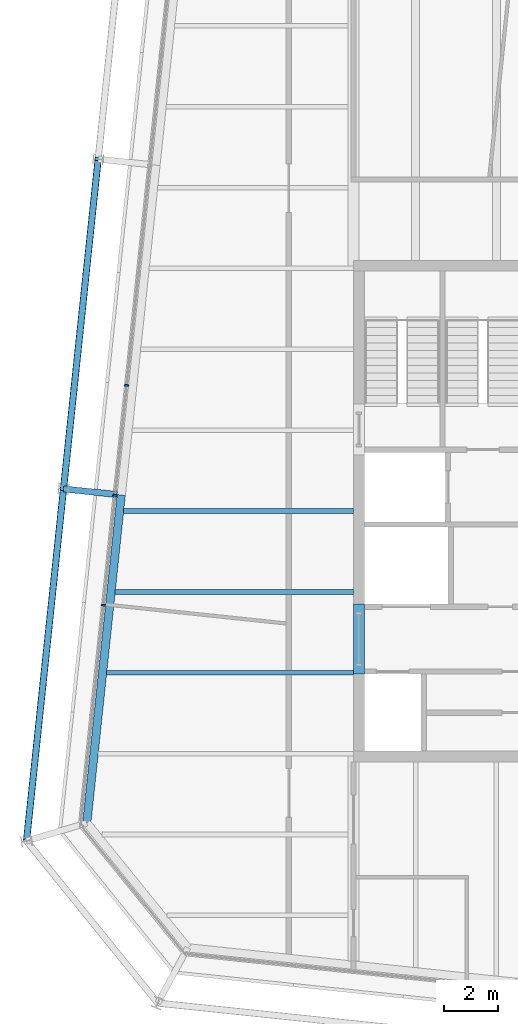
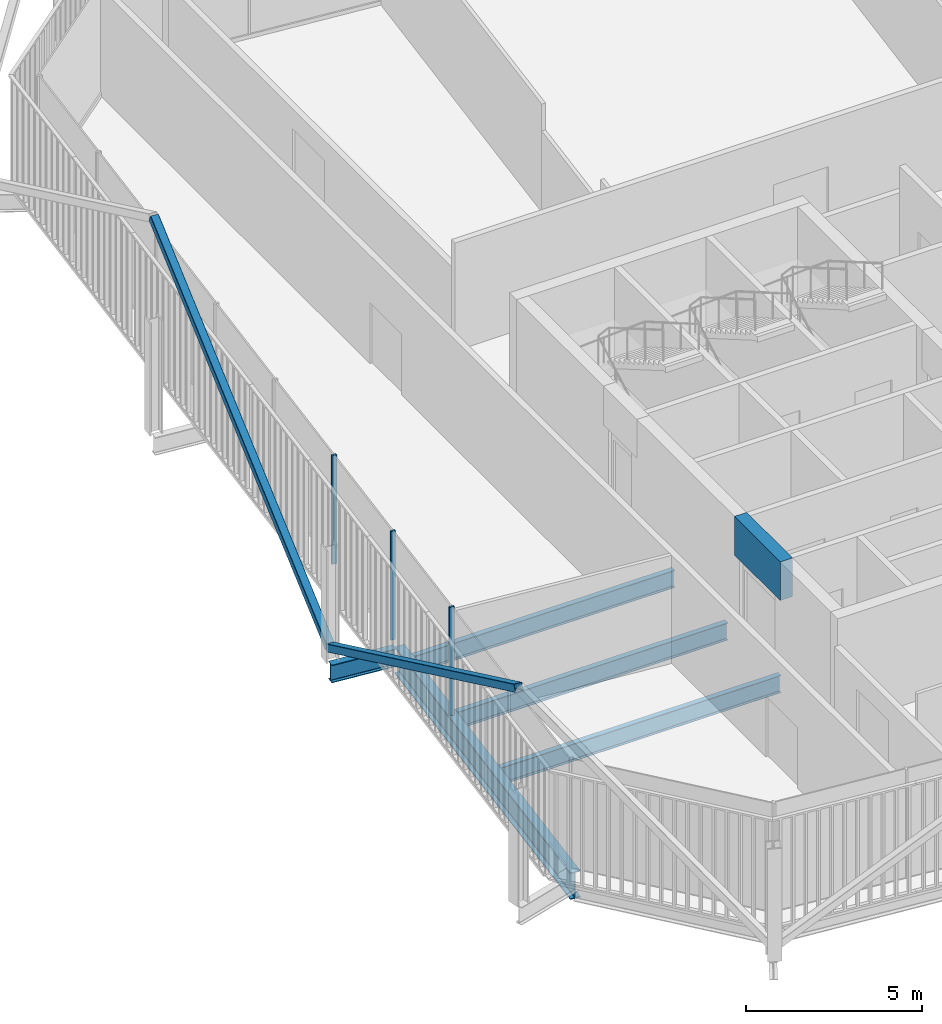
# One storey, part 6 of 21: 6 beams, 5 members, 1 element without a shape of its own.
"""IFC4 building model written with IfcOpenShell, lengths in metres."""

from ifc_helpers import new_model, si_unit, direction, frame, origin, origin_2d, place, context, subcontext, project, spatial, rectangle, hollow_rectangle, i_section, extrude, material, layer, layer_set, material_profile, profile_set, type_object, element, aggregate, save


model = new_model("IFC4")

# Units and contexts
model_context = context("Model", 3, precision=1e-05, world=origin(), true_north=direction((0.0, 1.0)))
body_context = subcontext(model_context, "Body", "Model", "MODEL_VIEW")
ifc_project = project(units=[si_unit("LENGTHUNIT", "METRE"), si_unit("AREAUNIT", "SQUARE_METRE"), si_unit("VOLUMEUNIT", "CUBIC_METRE"), si_unit("PLANEANGLEUNIT", "RADIAN"), si_unit("MASSUNIT", "GRAM", prefix="KILO")], contexts=[model_context])

# Site, building, storey
site_placement = place(None, origin())
site = spatial("IfcSite", under=ifc_project, at=site_placement, CompositionType="ELEMENT")
building_placement = place(site_placement, origin())
building = spatial("IfcBuilding", under=site, at=building_placement, Name="Millrace Tower", CompositionType="ELEMENT")
storey_placement = place(building_placement, frame((0.0, 0.0, 299.39990234375)))
storey = spatial("IfcBuildingStorey", under=building, at=storey_placement, Name="L69", CompositionType="ELEMENT", Elevation=299.39990234375)

# Curtain wall, members
ifc_material_1 = material(Name="Aluminium and glass", Category="aluminium")
ifc_layer = layer(ifc_material_1, 0.14990234375)
ifc_layer_set = layer_set([ifc_layer], Name="Aluminium and glass")
curtain_wall_type = type_object("IfcCurtainWallType", Name="CW-1 office vision curtain wall", PredefinedType="NOTDEFINED", material=ifc_layer_set)
curtain_wall_placement = place(storey_placement, origin())
curtain_wall = element("IfcCurtainWall", 1, at=curtain_wall_placement, inside=storey, type_object=curtain_wall_type, Name="Curtain wall E-F08 L69", PredefinedType="NOTDEFINED")
ifc_material_2 = material(Name="Aluminium", Category="aluminium")
ifc_material_profile_1 = material_profile(ifc_material_2, rectangle(XDim=0.06494140625, YDim=0.14990234375, at=origin_2d()))
ifc_profile_set_1 = profile_set([ifc_material_profile_1], Name="Aluminium")
member_type_1 = type_object("IfcMemberType", Name="CW-1 office vision curtain wall mullion", PredefinedType="MULLION", material=ifc_profile_set_1)
member_1_placement = place(storey_placement, frame((-22.717529296875, 4.664794921875, 0.14013671875), z_axis=(0.0, 0.0, 1.0), x_axis=(-0.104528455196, -0.994521896217, 0.0)))
member_1 = element("IfcMember", 2, at=member_1_placement, type_object=member_type_1, Name="CW1 mullion E-F08.6", PredefinedType="MULLION", context=body_context, shape_type="SweptSolid", body=[
    extrude(rectangle(XDim=0.06494140625, YDim=0.14990234375, at=origin_2d()), origin(), (0.0, 0.0, 1.0), 3.760009765625),
])
member_2_placement = place(storey_placement, frame((-23.146240234375, 0.587158203125, 0.14013671875), z_axis=(0.0, 0.0, 1.0), x_axis=(-0.104528455196, -0.994521896217, 0.0)))
member_2 = element("IfcMember", 3, at=member_2_placement, type_object=member_type_1, Name="CW1 mullion E-F08.7", PredefinedType="MULLION", context=body_context, shape_type="SweptSolid", body=[
    extrude(rectangle(XDim=0.06494140625, YDim=0.14990234375, at=origin_2d()), origin(), (0.0, 0.0, 1.0), 3.760009765625),
])
member_3_placement = place(storey_placement, frame((-23.57470703125, -3.490234375, 0.14013671875), z_axis=(0.0, 0.0, 1.0), x_axis=(-0.104528455196, -0.994521896217, 0.0)))
member_3 = element("IfcMember", 4, at=member_3_placement, type_object=member_type_1, Name="CW1 mullion E-F08.8", PredefinedType="MULLION", context=body_context, shape_type="SweptSolid", body=[
    extrude(rectangle(XDim=0.06494140625, YDim=0.14990234375, at=origin_2d()), origin(), (0.0, 0.0, 1.0), 3.760009765625),
])
aggregate(curtain_wall, [member_1, member_2, member_3])

# Beam
ifc_material_3 = material(Name="Concrete C60", Category="concrete")
ifc_material_profile_2 = material_profile(ifc_material_3, rectangle(XDim=0.39990234375, YDim=1.340087890625, at=origin_2d()))
ifc_profile_set_2 = profile_set([ifc_material_profile_2], Name="Concrete C60")
beam_type_1 = type_object("IfcBeamType", Name="Coupling beam 400 x 1340 Concrete C60, 2000 opening", PredefinedType="BEAM", material=ifc_profile_set_2)
beam_1_placement = place(storey_placement, frame((-14.10009765625, -6.050048828125, 3.070068359375), z_axis=(0.0, 1.0, 0.0), x_axis=(-1.0, 0.0, 0.0)))
element("IfcBeam", 5, at=beam_1_placement, inside=storey, type_object=beam_type_1, Name="Coupling beam W L69", PredefinedType="BEAM", context=body_context, shape_type="SweptSolid", body=[
    extrude(rectangle(XDim=0.39990234375, YDim=1.340087890625, at=origin_2d()), origin(), (0.0, 0.0, 1.0), 2.60009765625),
])

# Members
ifc_material_4 = material(Name="Steel ASTM A500 Grade C", Category="steel")
ifc_material_profile_3 = material_profile(ifc_material_4, hollow_rectangle(XDim=0.25390625, YDim=0.25390625, WallThickness=0.0126953125, InnerFilletRadius=0.00634765625, OuterFilletRadius=0.01904296875, at=origin_2d()))
ifc_profile_set_3 = profile_set([ifc_material_profile_3], Name="Steel ASTM A500 Grade C")
member_type_2 = type_object("IfcMemberType", Name="Exoskeleton brace HSS10x10x1/2", PredefinedType="BRACE", material=ifc_profile_set_3)
member_4_placement = place(storey_placement, frame((-25.057373046875, 0.82080078125, 0.400146484375), z_axis=(0.090859841027, 0.864350167962, 0.494614270348), x_axis=(-0.994520342986, 0.104543232143, 0.0)))
element("IfcMember", 6, at=member_4_placement, inside=storey, type_object=member_type_2, Name="BRC-E-L69-15", PredefinedType="BRACE", context=body_context, shape_type="SweptSolid", body=[
    extrude(hollow_rectangle(XDim=0.25390625, YDim=0.25390625, WallThickness=0.0126953125, InnerFilletRadius=0.00634765625, OuterFilletRadius=0.01904296875, at=origin_2d()), origin(), (0.0, 0.0, 1.0), 14.15234375),
])
member_5_placement = place(storey_placement, frame((-25.057373046875, 0.82080078125, 0.400146484375), z_axis=(-0.092220680702, -0.877573310314, 0.47048956532), x_axis=(0.994523779096, -0.104510539239, 0.0)))
element("IfcMember", 7, at=member_5_placement, inside=storey, type_object=member_type_2, Name="BRC-E-L69-16", PredefinedType="BRACE", context=body_context, shape_type="SweptSolid", body=[
    extrude(hollow_rectangle(XDim=0.25390625, YDim=0.25390625, WallThickness=0.0126953125, InnerFilletRadius=0.00634765625, OuterFilletRadius=0.01904296875, at=origin_2d()), origin(), (0.0, 0.0, 1.0), 14.878173828125),
])

# Beams
ifc_material_5 = material(Name="Steel ASTM A992 Grade 50", Category="steel")
ifc_material_profile_4 = material_profile(ifc_material_5, i_section(OverallWidth=0.177978515625, OverallDepth=0.599365234375, WebThickness=0.010009765625, FlangeThickness=0.012939453125, FilletRadius=0.012939453125, at=origin_2d()))
ifc_profile_set_4 = profile_set([ifc_material_profile_4], Name="Steel ASTM A992 Grade 50")
beam_type_2 = type_object("IfcBeamType", Name="Floor beam W24x55", PredefinedType="JOIST", material=ifc_profile_set_4)
beam_2_placement = place(storey_placement, frame((-23.4541015625, -6.0, -0.459716796875), z_axis=(1.0, 0.0, 0.0), x_axis=(0.0, 1.0, 0.0)))
element("IfcBeam", 8, at=beam_2_placement, inside=storey, type_object=beam_type_2, Name="BM-E-L69-S1-S009", PredefinedType="JOIST", context=body_context, shape_type="SweptSolid", body=[
    extrude(i_section(OverallWidth=0.177978515625, OverallDepth=0.599365234375, WebThickness=0.010009765625, FlangeThickness=0.012939453125, FilletRadius=0.012939453125, at=origin_2d()), origin(), (0.0, 0.0, 1.0), 9.154052734375),
])
beam_3_placement = place(storey_placement, frame((-23.138916015625, -3.0, -0.459716796875), z_axis=(1.0, 0.0, 0.0), x_axis=(0.0, 1.0, 0.0)))
element("IfcBeam", 9, at=beam_3_placement, inside=storey, type_object=beam_type_2, Name="BM-E-L69-S1-S012", PredefinedType="JOIST", context=body_context, shape_type="SweptSolid", body=[
    extrude(i_section(OverallWidth=0.177978515625, OverallDepth=0.599365234375, WebThickness=0.010009765625, FlangeThickness=0.012939453125, FilletRadius=0.012939453125, at=origin_2d()), origin(), (0.0, 0.0, 1.0), 8.8388671875),
])
beam_4_placement = place(storey_placement, frame((-22.823486328125, 0.0, -0.459716796875), z_axis=(1.0, 0.0, 0.0), x_axis=(0.0, 1.0, 0.0)))
element("IfcBeam", 10, at=beam_4_placement, inside=storey, type_object=beam_type_2, Name="BM-E-L69-S1-S015", PredefinedType="JOIST", context=body_context, shape_type="SweptSolid", body=[
    extrude(i_section(OverallWidth=0.177978515625, OverallDepth=0.599365234375, WebThickness=0.010009765625, FlangeThickness=0.012939453125, FilletRadius=0.012939453125, at=origin_2d()), origin(), (0.0, 0.0, 1.0), 8.5234375),
])
ifc_material_6 = material(Name="Steel ASTM A992 Grade 50", Category="steel")
ifc_material_profile_5 = material_profile(ifc_material_6, i_section(OverallWidth=0.23046875, OverallDepth=0.6171875, WebThickness=0.01318359375, FlangeThickness=0.022216796875, FilletRadius=0.012939453125, at=origin_2d()))
ifc_profile_set_5 = profile_set([ifc_material_profile_5], Name="Steel ASTM A992 Grade 50")
beam_type_3 = type_object("IfcBeamType", Name="Link beam W24x94", PredefinedType="BEAM", material=ifc_profile_set_5)
beam_5_placement = place(storey_placement, frame((-23.068115234375, 0.61181640625, -0.468505859375), z_axis=(-0.994526834051, 0.104481464157, 0.0), x_axis=(-0.104481464157, -0.994526834051, 0.0)))
element("IfcBeam", 11, at=beam_5_placement, inside=storey, type_object=beam_type_3, Name="LNK-E-L69-S1-02", PredefinedType="BEAM", context=body_context, shape_type="SweptSolid", body=[
    extrude(i_section(OverallWidth=0.23046875, OverallDepth=0.6171875, WebThickness=0.01318359375, FlangeThickness=0.022216796875, FilletRadius=0.012939453125, at=origin_2d()), origin(), (0.0, 0.0, 1.0), 2.000244140625),
])
ifc_material_7 = material(Name="Steel ASTM A992 Grade 50", Category="steel")
ifc_material_profile_6 = material_profile(ifc_material_7, i_section(OverallWidth=0.307373046875, OverallDepth=0.927001953125, WebThickness=0.01953125, FlangeThickness=0.031982421875, FilletRadius=0.01904296875, at=origin_2d()))
ifc_profile_set_6 = profile_set([ifc_material_profile_6], Name="Steel ASTM A992 Grade 50")
beam_type_4 = type_object("IfcBeamType", Name="Ring beam medium span W36x194", PredefinedType="SPANDREL", material=ifc_profile_set_6)
beam_6_placement = place(storey_placement, frame((-24.1943359375, -11.57373046875, -0.62353515625), z_axis=(0.104527955888, 0.994521948696, 0.0), x_axis=(-0.994521948696, 0.104527955888, 0.0)))
element("IfcBeam", 12, at=beam_6_placement, inside=storey, type_object=beam_type_4, Name="RNG-E-L69-S1-01", PredefinedType="SPANDREL", context=body_context, shape_type="SweptSolid", body=[
    extrude(i_section(OverallWidth=0.307373046875, OverallDepth=0.927001953125, WebThickness=0.01953125, FlangeThickness=0.031982421875, FilletRadius=0.01904296875, at=origin_2d()), origin(), (0.0, 0.0, 1.0), 12.236572265625),
])

save(model, "model.ifc")
